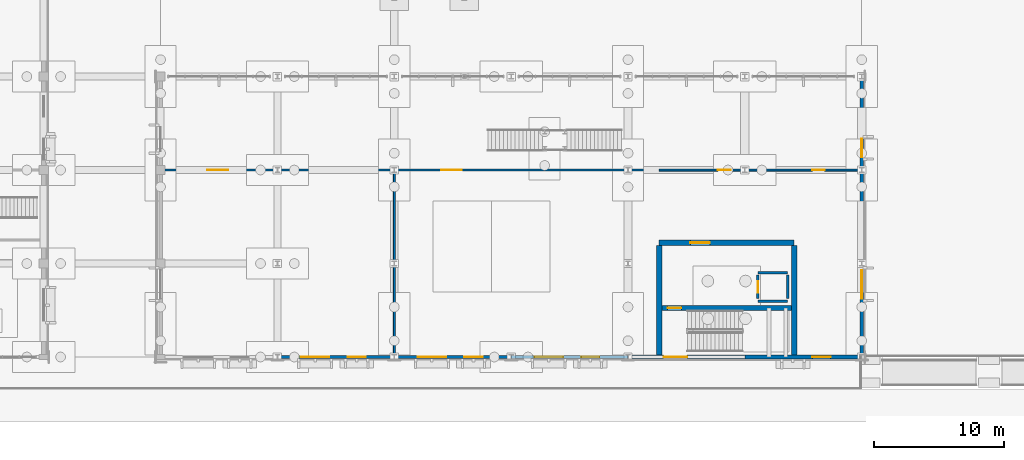
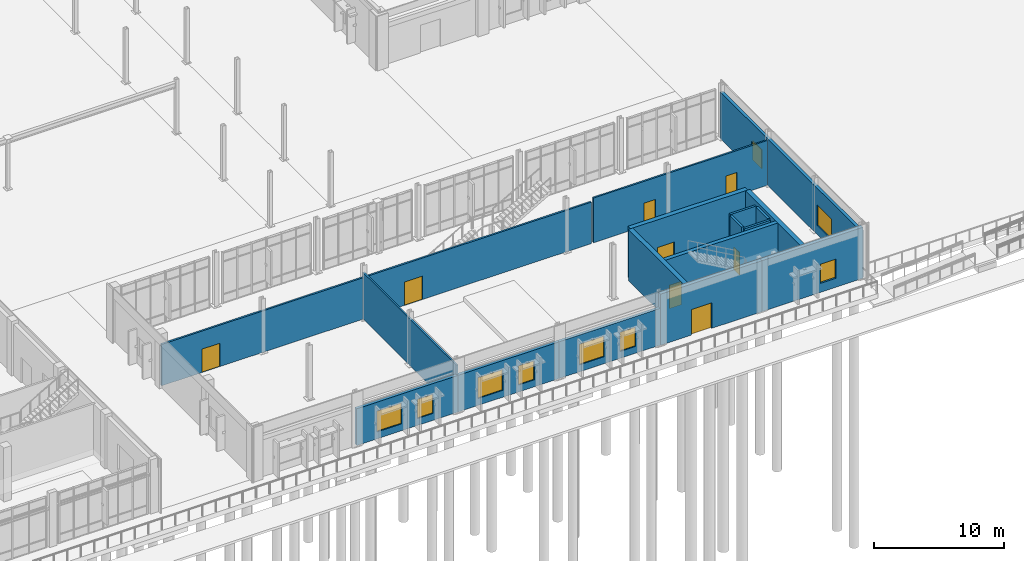
# One storey, part 63 of 94: 17 walls, 9 windows, 8 doors, 17 openings.
"""IFC4 building model written with IfcOpenShell, lengths in metres."""

from ifc_helpers import new_model, si_unit, direction, frame, frame_2d, origin, place, context, subcontext, project, spatial, rectangle, extrude, material, layer, layer_set, type_object, element, fill, save


model = new_model("IFC4")

# Units and contexts
model_context = context("Model", 3, precision=1e-05, world=origin(), true_north=direction((0.0, 1.0)))
body_context = subcontext(model_context, "Body", "Model", "MODEL_VIEW")
ifc_project = project(units=[si_unit("LENGTHUNIT", "METRE"), si_unit("AREAUNIT", "SQUARE_METRE"), si_unit("VOLUMEUNIT", "CUBIC_METRE"), si_unit("PLANEANGLEUNIT", "RADIAN"), si_unit("MASSUNIT", "GRAM", prefix="KILO")], contexts=[model_context])

# Site, building, storey
site_placement = place(None, origin())
site = spatial("IfcSite", under=ifc_project, at=site_placement, CompositionType="ELEMENT")
building_placement = place(site_placement, origin())
building = spatial("IfcBuilding", under=site, at=building_placement, Name="Vervanel Yard Central Library", CompositionType="ELEMENT")
storey_placement = place(building_placement, origin())
storey = spatial("IfcBuildingStorey", under=building, at=storey_placement, Name="L00", CompositionType="ELEMENT", Elevation=0.0)

# Wall, openings, doors
ifc_material_1 = material(Name="Fire-rated gypsum board on steel studs", Category="steel")
ifc_layer_1 = layer(ifc_material_1, 0.159912109375, Category="steel")
ifc_layer_set_1 = layer_set([ifc_layer_1], Name="Fire-rated gypsum board on steel studs")
wall_type_1 = type_object("IfcWallType", Name="Acoustic Glazed Partition 160", PredefinedType="PARTITIONING", material=ifc_layer_set_1)
wall_1_placement = place(storey_placement, frame((54.0, 14.39990234375, 0.0), z_axis=(0.0, 0.0, 1.0), x_axis=(1.0, 0.0, 0.0)))
wall_1 = element("IfcWall", 1, at=wall_1_placement, inside=storey, type_object=wall_type_1, Name="L00 Acoustic Glazed Partition 160 IPART-L00-0038", PredefinedType="PARTITIONING", context=body_context, shape_type="SweptSolid", body=[
    extrude(rectangle(XDim=38.199951171875, YDim=0.159912109375, at=frame_2d((19.10009765625, 0.0))), origin(), (0.0, 0.0, 1.0), 3.897705078125),
])
opening_1_placement = place(wall_1_placement, frame((3.60009765625, 0.0, 0.0)))
opening_1 = element("IfcOpeningElement", 2, at=opening_1_placement, cuts=wall_1, Name="Opening DR-04", PredefinedType="OPENING", context=body_context, shape_type="SweptSolid", body=[
    extrude(rectangle(XDim=1.60009765625, YDim=2.199951171875, at=frame_2d((0.800048828125, 1.10009765625))), frame((0.0, 0.08984375, 0.0), z_axis=(0.0, -1.0, 0.0), x_axis=(1.0, 0.0, 0.0)), (0.0, 0.0, 1.0), 0.179931640625),
])
opening_2_placement = place(wall_1_placement, frame((21.60009765625, 0.0, 0.0)))
opening_2 = element("IfcOpeningElement", 3, at=opening_2_placement, cuts=wall_1, Name="Opening DR-04", PredefinedType="OPENING", context=body_context, shape_type="SweptSolid", body=[
    extrude(rectangle(XDim=1.60009765625, YDim=2.199951171875, at=frame_2d((0.800048828125, 1.10009765625))), frame((0.0, 0.08984375, 0.0), z_axis=(0.0, -1.0, 0.0), x_axis=(1.0, 0.0, 0.0)), (0.0, 0.0, 1.0), 0.179931640625),
])
ifc_material_2 = material(Name="Solid white oak acoustic joinery", Category="wood")
door_type_1 = type_object("IfcDoorType", Name="Interior Double Reading Door 1600x2200", OperationType="NOTDEFINED", PredefinedType="DOOR", material=ifc_material_2)
door_1_placement = place(opening_1_placement, origin())
door_1 = element("IfcDoor", 4, at=door_1_placement, inside=storey, type_object=door_type_1, Name="L00 Interior Double Reading Door 1600x2200 IDOOR-L00-0028", OperationType="DOUBLE_DOOR_SINGLE_SWING", OverallHeight=2.199951171875, OverallWidth=1.60009765625, PredefinedType="DOOR", context=body_context, shape_type="SweptSolid", body=[
    extrude(rectangle(XDim=1.60009765625, YDim=2.199951171875, at=frame_2d((0.800048828125, 1.10009765625))), frame((0.0, 0.02490234375, 0.0), z_axis=(0.0, -1.0, 0.0), x_axis=(1.0, 0.0, 0.0)), (0.0, 0.0, 1.0), 0.050048828125),
])
fill(opening_1, door_1)
door_2_placement = place(opening_2_placement, origin())
door_2 = element("IfcDoor", 5, at=door_2_placement, inside=storey, type_object=door_type_1, Name="L00 Interior Double Reading Door 1600x2200 IDOOR-L00-0029", OperationType="DOUBLE_DOOR_SINGLE_SWING", OverallHeight=2.199951171875, OverallWidth=1.60009765625, PredefinedType="DOOR", context=body_context, shape_type="SweptSolid", body=[
    extrude(rectangle(XDim=1.60009765625, YDim=2.199951171875, at=frame_2d((0.800048828125, 1.10009765625))), frame((0.0, 0.02490234375, 0.0), z_axis=(0.0, -1.0, 0.0), x_axis=(1.0, 0.0, 0.0)), (0.0, 0.0, 1.0), 0.050048828125),
])
fill(opening_2, door_2)

# Wall, openings, windows
ifc_material_3 = material(Name="Concrete C40/50", Category="concrete")
ifc_layer_2 = layer(ifc_material_3, 0.260009765625, Category="concrete")
ifc_layer_set_2 = layer_set([ifc_layer_2], Name="Concrete C40/50")
wall_type_2 = type_object("IfcWallType", Name="Children's Pavilion Concrete Wall 260", PredefinedType="SOLIDWALL", material=ifc_layer_set_2)
wall_2_placement = place(storey_placement, frame((63.0, 0.0, 0.0), z_axis=(0.0, 0.0, 1.0), x_axis=(1.0, 0.0, 0.0)))
wall_2 = element("IfcWall", 6, at=wall_2_placement, inside=storey, type_object=wall_type_2, Name="L00 Children's Pavilion Concrete Wall 260 EWALL-L00-0193", PredefinedType="SOLIDWALL", context=body_context, shape_type="SweptSolid", body=[
    extrude(rectangle(XDim=9.0, YDim=0.260009765625, at=frame_2d((4.5, 0.0))), origin(), (0.0, 0.0, 1.0), 3.449951171875),
])
opening_3_placement = place(wall_2_placement, frame((1.800048828125, 0.0, 0.64990234375)))
opening_3 = element("IfcOpeningElement", 7, at=opening_3_placement, cuts=wall_2, Name="Opening WN-11", PredefinedType="OPENING", context=body_context, shape_type="SweptSolid", body=[
    extrude(rectangle(XDim=2.199951171875, YDim=1.949951171875, at=frame_2d((1.10009765625, 0.97509765625))), frame((0.0, 0.139892578125, 0.0), z_axis=(0.0, -1.0, 0.0), x_axis=(1.0, 0.0, 0.0)), (0.0, 0.0, 1.0), 0.280029296875),
])
opening_4_placement = place(wall_2_placement, frame((5.39990234375, 0.0, 0.64990234375)))
opening_4 = element("IfcOpeningElement", 8, at=opening_4_placement, cuts=wall_2, Name="Opening WN-12", PredefinedType="OPENING", context=body_context, shape_type="SweptSolid", body=[
    extrude(rectangle(XDim=1.39990234375, YDim=1.800048828125, at=frame_2d((0.699951171875, 0.89990234375))), frame((0.0, 0.139892578125, 0.0), z_axis=(0.0, -1.0, 0.0), x_axis=(1.0, 0.0, 0.0)), (0.0, 0.0, 1.0), 0.280029296875),
])
ifc_material_4 = material(Name="Double low-E laminated solar-control glass", Category="glass")
window_type_1 = type_object("IfcWindowType", Name="Children's Discovery Picture Window 2200x1950", PartitioningType="SINGLE_PANEL", PredefinedType="WINDOW", material=ifc_material_4)
window_1_placement = place(opening_3_placement, origin())
window_1 = element("IfcWindow", 9, at=window_1_placement, inside=storey, type_object=window_type_1, Name="L00 Children's Discovery Picture Window 2200x1950 246", OverallHeight=1.949951171875, OverallWidth=2.199951171875, PartitioningType="SINGLE_PANEL", PredefinedType="WINDOW", context=body_context, shape_type="SweptSolid", body=[
    extrude(rectangle(XDim=2.199951171875, YDim=1.949951171875, at=frame_2d((1.10009765625, 0.97509765625))), frame((0.0, 0.030029296875, 0.0), z_axis=(0.0, -1.0, 0.0), x_axis=(1.0, 0.0, 0.0)), (0.0, 0.0, 1.0), 0.06005859375),
])
fill(opening_3, window_1)
window_type_2 = type_object("IfcWindowType", Name="Children's Low Sill Window 1400x1800", PartitioningType="SINGLE_PANEL", PredefinedType="WINDOW", material=ifc_material_4)
window_2_placement = place(opening_4_placement, origin())
window_2 = element("IfcWindow", 10, at=window_2_placement, inside=storey, type_object=window_type_2, Name="L00 Children's Low Sill Window 1400x1800 247", OverallHeight=1.800048828125, OverallWidth=1.39990234375, PartitioningType="SINGLE_PANEL", PredefinedType="WINDOW", context=body_context, shape_type="SweptSolid", body=[
    extrude(rectangle(XDim=1.39990234375, YDim=1.800048828125, at=frame_2d((0.699951171875, 0.89990234375))), frame((0.0, 0.030029296875, 0.0), z_axis=(0.0, -1.0, 0.0), x_axis=(1.0, 0.0, 0.0)), (0.0, 0.0, 1.0), 0.06005859375),
])
fill(opening_4, window_2)

wall_3_placement = place(storey_placement, frame((72.0, 0.0, 0.0), z_axis=(0.0, 0.0, 1.0), x_axis=(1.0, 0.0, 0.0)))
wall_3 = element("IfcWall", 11, at=wall_3_placement, inside=storey, type_object=wall_type_2, Name="L00 Children's Pavilion Concrete Wall 260 EWALL-L00-0194", PredefinedType="SOLIDWALL", context=body_context, shape_type="SweptSolid", body=[
    extrude(rectangle(XDim=9.0, YDim=0.260009765625, at=frame_2d((4.5, 0.0))), origin(), (0.0, 0.0, 1.0), 3.449951171875),
])
opening_5_placement = place(wall_3_placement, frame((1.800048828125, 0.0, 0.64990234375)))
opening_5 = element("IfcOpeningElement", 12, at=opening_5_placement, cuts=wall_3, Name="Opening WN-11", PredefinedType="OPENING", context=body_context, shape_type="SweptSolid", body=[
    extrude(rectangle(XDim=2.199951171875, YDim=1.949951171875, at=frame_2d((1.10009765625, 0.97509765625))), frame((0.0, 0.139892578125, 0.0), z_axis=(0.0, -1.0, 0.0), x_axis=(1.0, 0.0, 0.0)), (0.0, 0.0, 1.0), 0.280029296875),
])
opening_6_placement = place(wall_3_placement, frame((5.39990234375, 0.0, 0.64990234375)))
opening_6 = element("IfcOpeningElement", 13, at=opening_6_placement, cuts=wall_3, Name="Opening WN-12", PredefinedType="OPENING", context=body_context, shape_type="SweptSolid", body=[
    extrude(rectangle(XDim=1.39990234375, YDim=1.800048828125, at=frame_2d((0.699951171875, 0.89990234375))), frame((0.0, 0.139892578125, 0.0), z_axis=(0.0, -1.0, 0.0), x_axis=(1.0, 0.0, 0.0)), (0.0, 0.0, 1.0), 0.280029296875),
])
window_3_placement = place(opening_5_placement, origin())
window_3 = element("IfcWindow", 14, at=window_3_placement, inside=storey, type_object=window_type_1, Name="L00 Children's Discovery Picture Window 2200x1950 248", OverallHeight=1.949951171875, OverallWidth=2.199951171875, PartitioningType="SINGLE_PANEL", PredefinedType="WINDOW", context=body_context, shape_type="SweptSolid", body=[
    extrude(rectangle(XDim=2.199951171875, YDim=1.949951171875, at=frame_2d((1.10009765625, 0.97509765625))), frame((0.0, 0.030029296875, 0.0), z_axis=(0.0, -1.0, 0.0), x_axis=(1.0, 0.0, 0.0)), (0.0, 0.0, 1.0), 0.06005859375),
])
fill(opening_5, window_3)
window_4_placement = place(opening_6_placement, origin())
window_4 = element("IfcWindow", 15, at=window_4_placement, inside=storey, type_object=window_type_2, Name="L00 Children's Low Sill Window 1400x1800 249", OverallHeight=1.800048828125, OverallWidth=1.39990234375, PartitioningType="SINGLE_PANEL", PredefinedType="WINDOW", context=body_context, shape_type="SweptSolid", body=[
    extrude(rectangle(XDim=1.39990234375, YDim=1.800048828125, at=frame_2d((0.699951171875, 0.89990234375))), frame((0.0, 0.030029296875, 0.0), z_axis=(0.0, -1.0, 0.0), x_axis=(1.0, 0.0, 0.0)), (0.0, 0.0, 1.0), 0.06005859375),
])
fill(opening_6, window_4)

wall_4_placement = place(storey_placement, frame((81.0, 0.0, 0.0), z_axis=(0.0, 0.0, 1.0), x_axis=(1.0, 0.0, 0.0)))
wall_4 = element("IfcWall", 16, at=wall_4_placement, inside=storey, type_object=wall_type_2, Name="L00 Children's Pavilion Concrete Wall 260 EWALL-L00-0195", PredefinedType="SOLIDWALL", context=body_context, shape_type="SweptSolid", body=[
    extrude(rectangle(XDim=9.0, YDim=0.260009765625, at=frame_2d((4.5, 0.0))), origin(), (0.0, 0.0, 1.0), 3.449951171875),
])
opening_7_placement = place(wall_4_placement, frame((1.800048828125, 0.0, 0.64990234375)))
opening_7 = element("IfcOpeningElement", 17, at=opening_7_placement, cuts=wall_4, Name="Opening WN-11", PredefinedType="OPENING", context=body_context, shape_type="SweptSolid", body=[
    extrude(rectangle(XDim=2.199951171875, YDim=1.949951171875, at=frame_2d((1.10009765625, 0.97509765625))), frame((0.0, 0.139892578125, 0.0), z_axis=(0.0, -1.0, 0.0), x_axis=(1.0, 0.0, 0.0)), (0.0, 0.0, 1.0), 0.280029296875),
])
opening_8_placement = place(wall_4_placement, frame((5.39990234375, 0.0, 0.64990234375)))
opening_8 = element("IfcOpeningElement", 18, at=opening_8_placement, cuts=wall_4, Name="Opening WN-12", PredefinedType="OPENING", context=body_context, shape_type="SweptSolid", body=[
    extrude(rectangle(XDim=1.39990234375, YDim=1.800048828125, at=frame_2d((0.699951171875, 0.89990234375))), frame((0.0, 0.139892578125, 0.0), z_axis=(0.0, -1.0, 0.0), x_axis=(1.0, 0.0, 0.0)), (0.0, 0.0, 1.0), 0.280029296875),
])
window_5_placement = place(opening_7_placement, origin())
window_5 = element("IfcWindow", 19, at=window_5_placement, inside=storey, type_object=window_type_1, Name="L00 Children's Discovery Picture Window 2200x1950 250", OverallHeight=1.949951171875, OverallWidth=2.199951171875, PartitioningType="SINGLE_PANEL", PredefinedType="WINDOW", context=body_context, shape_type="SweptSolid", body=[
    extrude(rectangle(XDim=2.199951171875, YDim=1.949951171875, at=frame_2d((1.10009765625, 0.97509765625))), frame((0.0, 0.030029296875, 0.0), z_axis=(0.0, -1.0, 0.0), x_axis=(1.0, 0.0, 0.0)), (0.0, 0.0, 1.0), 0.06005859375),
])
fill(opening_7, window_5)
window_6_placement = place(opening_8_placement, origin())
window_6 = element("IfcWindow", 20, at=window_6_placement, inside=storey, type_object=window_type_2, Name="L00 Children's Low Sill Window 1400x1800 251", OverallHeight=1.800048828125, OverallWidth=1.39990234375, PartitioningType="SINGLE_PANEL", PredefinedType="WINDOW", context=body_context, shape_type="SweptSolid", body=[
    extrude(rectangle(XDim=1.39990234375, YDim=1.800048828125, at=frame_2d((0.699951171875, 0.89990234375))), frame((0.0, 0.030029296875, 0.0), z_axis=(0.0, -1.0, 0.0), x_axis=(1.0, 0.0, 0.0)), (0.0, 0.0, 1.0), 0.06005859375),
])
fill(opening_8, window_6)

wall_5_placement = place(storey_placement, frame((108.0, 0.0, 0.0), z_axis=(0.0, 0.0, 1.0), x_axis=(0.0, 1.0, 0.0)))
wall_5 = element("IfcWall", 21, at=wall_5_placement, inside=storey, type_object=wall_type_2, Name="L00 Children's Pavilion Concrete Wall 260 EWALL-L00-0199", PredefinedType="SOLIDWALL", context=body_context, shape_type="SweptSolid", body=[
    extrude(rectangle(XDim=21.60009765625, YDim=0.260009765625, at=frame_2d((10.800048828125, 0.0))), origin(), (0.0, 0.0, 1.0), 4.362548828125),
])
opening_9_placement = place(wall_5_placement, frame((4.5, 0.0, 0.85009765625)))
opening_9 = element("IfcOpeningElement", 22, at=opening_9_placement, cuts=wall_5, Name="Opening WN-11", PredefinedType="OPENING", context=body_context, shape_type="SweptSolid", body=[
    extrude(rectangle(XDim=2.199951171875, YDim=1.949951171875, at=frame_2d((1.10009765625, 0.97509765625))), frame((0.0, 0.139892578125, 0.0), z_axis=(0.0, -1.0, 0.0), x_axis=(1.0, 0.0, 0.0)), (0.0, 0.0, 1.0), 0.280029296875),
])
opening_10_placement = place(wall_5_placement, frame((15.39990234375, 0.0, 0.85009765625)))
opening_10 = element("IfcOpeningElement", 23, at=opening_10_placement, cuts=wall_5, Name="Opening WN-12", PredefinedType="OPENING", context=body_context, shape_type="SweptSolid", body=[
    extrude(rectangle(XDim=1.39990234375, YDim=1.800048828125, at=frame_2d((0.699951171875, 0.89990234375))), frame((0.0, 0.139892578125, 0.0), z_axis=(0.0, -1.0, 0.0), x_axis=(1.0, 0.0, 0.0)), (0.0, 0.0, 1.0), 0.280029296875),
])
window_7_placement = place(opening_9_placement, origin())
window_7 = element("IfcWindow", 24, at=window_7_placement, inside=storey, type_object=window_type_1, Name="L00 Children's Discovery Picture Window 2200x1950 255", OverallHeight=1.949951171875, OverallWidth=2.199951171875, PartitioningType="SINGLE_PANEL", PredefinedType="WINDOW", context=body_context, shape_type="SweptSolid", body=[
    extrude(rectangle(XDim=2.199951171875, YDim=1.949951171875, at=frame_2d((1.10009765625, 0.97509765625))), frame((0.0, 0.030029296875, 0.0), z_axis=(0.0, -1.0, 0.0), x_axis=(1.0, 0.0, 0.0)), (0.0, 0.0, 1.0), 0.06005859375),
])
fill(opening_9, window_7)
window_8_placement = place(opening_10_placement, origin())
window_8 = element("IfcWindow", 25, at=window_8_placement, inside=storey, type_object=window_type_2, Name="L00 Children's Low Sill Window 1400x1800 256", OverallHeight=1.800048828125, OverallWidth=1.39990234375, PartitioningType="SINGLE_PANEL", PredefinedType="WINDOW", context=body_context, shape_type="SweptSolid", body=[
    extrude(rectangle(XDim=1.39990234375, YDim=1.800048828125, at=frame_2d((0.699951171875, 0.89990234375))), frame((0.0, 0.030029296875, 0.0), z_axis=(0.0, -1.0, 0.0), x_axis=(1.0, 0.0, 0.0)), (0.0, 0.0, 1.0), 0.06005859375),
])
fill(opening_10, window_8)

# Wall, opening, door
ifc_material_5 = material(Name="Concrete C45/55", Category="concrete")
ifc_layer_3 = layer(ifc_material_5, 0.39990234375, Category="concrete")
ifc_layer_set_3 = layer_set([ifc_layer_3], Name="Concrete C45/55")
wall_type_3 = type_object("IfcWallType", Name="Core Primary Shear Wall 400", PredefinedType="SHEAR", material=ifc_layer_set_3)
wall_6_placement = place(storey_placement, frame((92.39990234375, 8.800048828125, 0.0), z_axis=(0.0, 0.0, 1.0), x_axis=(1.0, 0.0, 0.0)))
wall_6 = element("IfcWall", 26, at=wall_6_placement, inside=storey, type_object=wall_type_3, Name="L00 CORE-F Shear Wall N", PredefinedType="SHEAR", context=body_context, shape_type="SweptSolid", body=[
    extrude(rectangle(XDim=10.400146484375, YDim=0.39990234375, at=frame_2d((5.2001953125, 0.0))), origin(), (0.0, 0.0, 1.0), 4.800048828125),
])
opening_11_placement = place(wall_6_placement, frame((2.39990234375, 0.0, 0.0)))
opening_11 = element("IfcOpeningElement", 27, at=opening_11_placement, cuts=wall_6, Name="Opening DR-F02", PredefinedType="OPENING", context=body_context, shape_type="SweptSolid", body=[
    extrude(rectangle(XDim=1.5, YDim=2.199951171875, at=frame_2d((0.75, 1.10009765625))), frame((0.0, 0.2099609375, 0.0), z_axis=(0.0, -1.0, 0.0), x_axis=(1.0, 0.0, 0.0)), (0.0, 0.0, 1.0), 0.419921875),
])
ifc_material_6 = material(Name="Galvanized painted steelwork ASTM A500 Grade C", Category="steel")
door_type_2 = type_object("IfcDoorType", Name="Fire-Rated Lobby Door 1500x2200", OperationType="NOTDEFINED", PredefinedType="DOOR", material=ifc_material_6)
door_3_placement = place(opening_11_placement, origin())
door_3 = element("IfcDoor", 28, at=door_3_placement, inside=storey, type_object=door_type_2, Name="L00 CORE-F Lobby Fire Door", OperationType="DOUBLE_DOOR_SINGLE_SWING", OverallHeight=2.199951171875, OverallWidth=1.5, PredefinedType="DOOR", context=body_context, shape_type="SweptSolid", body=[
    extrude(rectangle(XDim=1.5, YDim=2.199951171875, at=frame_2d((0.75, 1.10009765625))), frame((0.0, 0.02490234375, 0.0), z_axis=(0.0, -1.0, 0.0), x_axis=(1.0, 0.0, 0.0)), (0.0, 0.0, 1.0), 0.050048828125),
])
fill(opening_11, door_3)

# Walls
for number, where, z_axis, x_axis, name in (
    (29, (92.39990234375, 0.169921875, 0.0), (0.0, 0.0, 1.0), (0.0, 1.0, 0.0), "L00 CORE-F Shear Wall W"),
    (30, (102.800048828125, 0.169921875, 0.0), (0.0, 0.0, 1.0), (0.0, 1.0, 0.0), "L00 CORE-F Shear Wall E"),
):
    element("IfcWall", number, at=place(storey_placement, frame(where, z_axis=z_axis, x_axis=x_axis)), inside=storey, type_object=wall_type_3, Name=name, PredefinedType="SHEAR", context=body_context, shape_type="SweptSolid", body=[
        extrude(rectangle(XDim=8.43017578125, YDim=0.39990234375, at=frame_2d((4.215087890625, 0.0))), origin(), (0.0, 0.0, 1.0), 4.800048828125),
    ])

# Wall, opening, door
ifc_layer_4 = layer(ifc_material_5, 0.35009765625, Category="concrete")
ifc_layer_set_4 = layer_set([ifc_layer_4], Name="Concrete C45/55")
wall_type_4 = type_object("IfcWallType", Name="Core Secondary Shear Wall 350", PredefinedType="SHEAR", material=ifc_layer_set_4)
wall_7_placement = place(storey_placement, frame((92.60009765625, 3.77490234375, 0.0), z_axis=(0.0, 0.0, 1.0), x_axis=(1.0, 0.0, 0.0)))
wall_7 = element("IfcWall", 31, at=wall_7_placement, inside=storey, type_object=wall_type_4, Name="L00 CORE-F Stair Shaft Wall", PredefinedType="SHEAR", context=body_context, shape_type="SweptSolid", body=[
    extrude(rectangle(XDim=10.0, YDim=0.35009765625, at=frame_2d((5.0, 0.0))), origin(), (0.0, 0.0, 1.0), 4.800048828125),
])
opening_12_placement = place(wall_7_placement, frame((0.449951171875, 0.0, 0.0)))
opening_12 = element("IfcOpeningElement", 32, at=opening_12_placement, cuts=wall_7, Name="Opening DR-F01", PredefinedType="OPENING", context=body_context, shape_type="SweptSolid", body=[
    extrude(rectangle(XDim=1.050048828125, YDim=2.199951171875, at=frame_2d((0.52490234375, 1.10009765625))), frame((0.0, 0.18505859375, 0.0), z_axis=(0.0, -1.0, 0.0), x_axis=(1.0, 0.0, 0.0)), (0.0, 0.0, 1.0), 0.3701171875),
])
door_type_3 = type_object("IfcDoorType", Name="Fire-Rated Stair Exit Door 1050x2200", OperationType="NOTDEFINED", PredefinedType="DOOR", material=ifc_material_6)
door_4_placement = place(opening_12_placement, origin())
door_4 = element("IfcDoor", 33, at=door_4_placement, inside=storey, type_object=door_type_3, Name="L00 CORE-F Stair Door", OperationType="SINGLE_SWING_LEFT", OverallHeight=2.199951171875, OverallWidth=1.050048828125, PredefinedType="DOOR", context=body_context, shape_type="SweptSolid", body=[
    extrude(rectangle(XDim=1.050048828125, YDim=2.199951171875, at=frame_2d((0.52490234375, 1.10009765625))), frame((0.0, 0.02490234375, 0.0), z_axis=(0.0, -1.0, 0.0), x_axis=(1.0, 0.0, 0.0)), (0.0, 0.0, 1.0), 0.050048828125),
])
fill(opening_12, door_4)

ifc_layer_5 = layer(ifc_material_5, 0.340087890625, Category="concrete")
ifc_layer_set_5 = layer_set([ifc_layer_5], Name="Concrete C45/55")
wall_type_5 = type_object("IfcWallType", Name="Exterior Bearing Concrete Frame Wall 340", PredefinedType="SOLIDWALL", material=ifc_layer_set_5)
wall_8_placement = place(storey_placement, frame((90.0, 0.0, 0.0), z_axis=(0.0, 0.0, 1.0), x_axis=(1.0, 0.0, 0.0)))
wall_8 = element("IfcWall", 34, at=wall_8_placement, inside=storey, type_object=wall_type_5, Name="L00 Exterior Bearing Concrete Frame Wall 340 EWALL-L00-0196", PredefinedType="SOLIDWALL", context=body_context, shape_type="SweptSolid", body=[
    extrude(rectangle(XDim=9.0, YDim=0.340087890625, at=frame_2d((4.5, 0.0))), origin(), (0.0, 0.0, 1.0), 4.800048828125),
])
opening_13_placement = place(wall_8_placement, frame((2.75, 0.0, 0.0)))
opening_13 = element("IfcOpeningElement", 35, at=opening_13_placement, cuts=wall_8, Name="Opening DR-E02", PredefinedType="OPENING", context=body_context, shape_type="SweptSolid", body=[
    extrude(rectangle(XDim=1.800048828125, YDim=2.39990234375, at=frame_2d((0.89990234375, 1.199951171875))), frame((0.0, 0.179931640625, 0.0), z_axis=(0.0, -1.0, 0.0), x_axis=(1.0, 0.0, 0.0)), (0.0, 0.0, 1.0), 0.360107421875),
])
ifc_material_7 = material(Name="Galvanized hollow steel door assembly", Category="steel")
door_type_4 = type_object("IfcDoorType", Name="Double Pedestrian Exit Door 1800x2400", OperationType="NOTDEFINED", PredefinedType="DOOR", material=ifc_material_7)
door_5_placement = place(opening_13_placement, frame((1.800048828125, 0.0, 0.0), z_axis=(0.0, 0.0, 1.0), x_axis=(-1.0, 0.0, 0.0)))
door_5 = element("IfcDoor", 36, at=door_5_placement, inside=storey, type_object=door_type_4, Name="L00 Double Pedestrian Exit Door 1800x2400 20", OperationType="DOUBLE_DOOR_SINGLE_SWING", OverallHeight=2.39990234375, OverallWidth=1.800048828125, PredefinedType="DOOR", context=body_context, shape_type="SweptSolid", body=[
    extrude(rectangle(XDim=1.800048828125, YDim=2.39990234375, at=frame_2d((0.89990234375, 1.199951171875))), frame((0.0, 0.02490234375, 0.0), z_axis=(0.0, -1.0, 0.0), x_axis=(1.0, 0.0, 0.0)), (0.0, 0.0, 1.0), 0.050048828125),
])
fill(opening_13, door_5)

# Wall, opening, window
wall_9_placement = place(storey_placement, frame((99.0, 0.0, 0.0), z_axis=(0.0, 0.0, 1.0), x_axis=(1.0, 0.0, 0.0)))
wall_9 = element("IfcWall", 37, at=wall_9_placement, inside=storey, type_object=wall_type_5, Name="L00 Exterior Bearing Concrete Frame Wall 340 EWALL-L00-0197", PredefinedType="SOLIDWALL", context=body_context, shape_type="SweptSolid", body=[
    extrude(rectangle(XDim=9.0, YDim=0.340087890625, at=frame_2d((4.5, 0.0))), origin(), (0.0, 0.0, 1.0), 4.800048828125),
])
opening_14_placement = place(wall_9_placement, frame((5.199951171875, 0.0, 0.85009765625)))
opening_14 = element("IfcOpeningElement", 38, at=opening_14_placement, cuts=wall_9, Name="Opening WN-12", PredefinedType="OPENING", context=body_context, shape_type="SweptSolid", body=[
    extrude(rectangle(XDim=1.39990234375, YDim=1.800048828125, at=frame_2d((0.699951171875, 0.89990234375))), frame((0.0, 0.179931640625, 0.0), z_axis=(0.0, -1.0, 0.0), x_axis=(1.0, 0.0, 0.0)), (0.0, 0.0, 1.0), 0.360107421875),
])
window_9_placement = place(opening_14_placement, origin())
window_9 = element("IfcWindow", 39, at=window_9_placement, inside=storey, type_object=window_type_2, Name="L00 Children's Low Sill Window 1400x1800 252", OverallHeight=1.800048828125, OverallWidth=1.39990234375, PartitioningType="SINGLE_PANEL", PredefinedType="WINDOW", context=body_context, shape_type="SweptSolid", body=[
    extrude(rectangle(XDim=1.39990234375, YDim=1.800048828125, at=frame_2d((0.699951171875, 0.89990234375))), frame((0.0, 0.030029296875, 0.0), z_axis=(0.0, -1.0, 0.0), x_axis=(1.0, 0.0, 0.0)), (0.0, 0.0, 1.0), 0.06005859375),
])
fill(opening_14, window_9)

# Wall
ifc_layer_6 = layer(ifc_material_1, 0.14990234375, Category="steel")
ifc_layer_set_6 = layer_set([ifc_layer_6], Name="Fire-rated gypsum board on steel studs")
wall_type_6 = type_object("IfcWallType", Name="Interior Partition 150", PredefinedType="PARTITIONING", material=ifc_layer_set_6)
wall_10_placement = place(storey_placement, frame((72.0, 0.0, 0.0), z_axis=(0.0, 0.0, 1.0), x_axis=(0.0, 1.0, 0.0)))
element("IfcWall", 40, at=wall_10_placement, inside=storey, type_object=wall_type_6, Name="L00 Interior Partition 150 IPART-L00-0039", PredefinedType="PARTITIONING", context=body_context, shape_type="SweptSolid", body=[
    extrude(rectangle(XDim=14.39990234375, YDim=0.14990234375, at=frame_2d((7.199951171875, 0.0))), origin(), (0.0, 0.0, 1.0), 4.362548828125),
])

# Wall, openings, doors
wall_11_placement = place(storey_placement, frame((92.39990234375, 14.39990234375, 0.0), z_axis=(0.0, 0.0, 1.0), x_axis=(1.0, 0.0, 0.0)))
wall_11 = element("IfcWall", 41, at=wall_11_placement, inside=storey, type_object=wall_type_6, Name="L00 Interior Partition 150 IPART-L00-0040", PredefinedType="PARTITIONING", context=body_context, shape_type="SweptSolid", body=[
    extrude(rectangle(XDim=15.60009765625, YDim=0.14990234375, at=frame_2d((7.800048828125, 0.0))), origin(), (0.0, 0.0, 1.0), 4.207763671875),
])
opening_15_placement = place(wall_11_placement, frame((4.5, 0.0, 0.0)))
opening_15 = element("IfcOpeningElement", 42, at=opening_15_placement, cuts=wall_11, Name="Opening DR-01", PredefinedType="OPENING", context=body_context, shape_type="SweptSolid", body=[
    extrude(rectangle(XDim=1.0, YDim=2.14990234375, at=frame_2d((0.5, 1.074951171875))), frame((0.0, 0.0849609375, 0.0), z_axis=(0.0, -1.0, 0.0), x_axis=(1.0, 0.0, 0.0)), (0.0, 0.0, 1.0), 0.169921875),
])
opening_16_placement = place(wall_11_placement, frame((11.800048828125, 0.0, 0.0)))
opening_16 = element("IfcOpeningElement", 43, at=opening_16_placement, cuts=wall_11, Name="Opening DR-02", PredefinedType="OPENING", context=body_context, shape_type="SweptSolid", body=[
    extrude(rectangle(XDim=0.949951171875, YDim=2.14990234375, at=frame_2d((0.47509765625, 1.074951171875))), frame((0.0, 0.0849609375, 0.0), z_axis=(0.0, -1.0, 0.0), x_axis=(1.0, 0.0, 0.0)), (0.0, 0.0, 1.0), 0.169921875),
])
door_type_5 = type_object("IfcDoorType", Name="Interior Accessible Restroom Door 950x2150", OperationType="NOTDEFINED", PredefinedType="DOOR", material=ifc_material_2)
door_6_placement = place(opening_16_placement, origin())
door_6 = element("IfcDoor", 44, at=door_6_placement, inside=storey, type_object=door_type_5, Name="L00 Interior Accessible Restroom Door 950x2150 IDOOR-L00-0031", OperationType="SINGLE_SWING_LEFT", OverallHeight=2.14990234375, OverallWidth=0.949951171875, PredefinedType="DOOR", context=body_context, shape_type="SweptSolid", body=[
    extrude(rectangle(XDim=0.949951171875, YDim=2.14990234375, at=frame_2d((0.47509765625, 1.074951171875))), frame((0.0, 0.02490234375, 0.0), z_axis=(0.0, -1.0, 0.0), x_axis=(1.0, 0.0, 0.0)), (0.0, 0.0, 1.0), 0.050048828125),
])
fill(opening_16, door_6)
door_type_6 = type_object("IfcDoorType", Name="Interior Single Door 1000x2150", OperationType="NOTDEFINED", PredefinedType="DOOR", material=ifc_material_2)
door_7_placement = place(opening_15_placement, origin())
door_7 = element("IfcDoor", 45, at=door_7_placement, inside=storey, type_object=door_type_6, Name="L00 Interior Single Door 1000x2150 IDOOR-L00-0030", OperationType="SINGLE_SWING_RIGHT", OverallHeight=2.14990234375, OverallWidth=1.0, PredefinedType="DOOR", context=body_context, shape_type="SweptSolid", body=[
    extrude(rectangle(XDim=1.0, YDim=2.14990234375, at=frame_2d((0.5, 1.074951171875))), frame((0.0, 0.02490234375, 0.0), z_axis=(0.0, -1.0, 0.0), x_axis=(1.0, 0.0, 0.0)), (0.0, 0.0, 1.0), 0.050048828125),
])
fill(opening_15, door_7)

# Walls
ifc_layer_7 = layer(ifc_material_3, 0.199951171875, Category="concrete")
ifc_layer_set_7 = layer_set([ifc_layer_7], Name="Concrete C40/50")
wall_type_7 = type_object("IfcWallType", Name="Shaft & Plant Rated Wall 200", PredefinedType="PARTITIONING", material=ifc_layer_set_7)
for number, where, z_axis, x_axis, name in (
    (46, (100.0, 4.300048828125, 0.0), (0.0, 0.0, 1.0), (1.0, 0.0, 0.0), "L00 CORE-F-L00-RIS Shaft Wall S"),
    (47, (100.0, 6.5, 0.0), (0.0, 0.0, 1.0), (1.0, 0.0, 0.0), "L00 CORE-F-L00-RIS Shaft Wall N"),
):
    element("IfcWall", number, at=place(storey_placement, frame(where, z_axis=z_axis, x_axis=x_axis)), inside=storey, type_object=wall_type_7, Name=name, PredefinedType="PARTITIONING", context=body_context, shape_type="SweptSolid", body=[
        extrude(rectangle(XDim=2.300048828125, YDim=0.199951171875, at=frame_2d((1.14990234375, 0.0))), origin(), (0.0, 0.0, 1.0), 4.800048828125),
    ])

# Wall, opening, door
wall_12_placement = place(storey_placement, frame((100.0, 4.5, 0.0), z_axis=(0.0, 0.0, 1.0), x_axis=(0.0, 1.0, 0.0)))
wall_12 = element("IfcWall", 48, at=wall_12_placement, inside=storey, type_object=wall_type_7, Name="L00 CORE-F-L00-RIS Shaft Wall W", PredefinedType="PARTITIONING", context=body_context, shape_type="SweptSolid", body=[
    extrude(rectangle(XDim=1.800048828125, YDim=0.199951171875, at=frame_2d((0.89990234375, 0.0))), origin(), (0.0, 0.0, 1.0), 4.800048828125),
])
opening_17_placement = place(wall_12_placement, frame((0.449951171875, 0.0, 0.0)))
opening_17 = element("IfcOpeningElement", 49, at=opening_17_placement, cuts=wall_12, Name="Opening DR-03", PredefinedType="OPENING", context=body_context, shape_type="SweptSolid", body=[
    extrude(rectangle(XDim=0.89990234375, YDim=2.10009765625, at=frame_2d((0.449951171875, 1.050048828125))), frame((0.0, 0.10986328125, 0.0), z_axis=(0.0, -1.0, 0.0), x_axis=(1.0, 0.0, 0.0)), (0.0, 0.0, 1.0), 0.219970703125),
])
door_type_7 = type_object("IfcDoorType", Name="Interior Riser Access Door 900x2100", OperationType="NOTDEFINED", PredefinedType="DOOR", material=ifc_material_6)
door_8_placement = place(opening_17_placement, origin())
door_8 = element("IfcDoor", 50, at=door_8_placement, inside=storey, type_object=door_type_7, Name="L00 CORE-F Riser Access Door", OperationType="SINGLE_SWING_LEFT", OverallHeight=2.10009765625, OverallWidth=0.89990234375, PredefinedType="DOOR", context=body_context, shape_type="SweptSolid", body=[
    extrude(rectangle(XDim=0.89990234375, YDim=2.10009765625, at=frame_2d((0.449951171875, 1.050048828125))), frame((0.0, 0.02490234375, 0.0), z_axis=(0.0, -1.0, 0.0), x_axis=(1.0, 0.0, 0.0)), (0.0, 0.0, 1.0), 0.050048828125),
])
fill(opening_17, door_8)

# Wall
wall_13_placement = place(storey_placement, frame((102.300048828125, 4.5, 0.0), z_axis=(0.0, 0.0, 1.0), x_axis=(0.0, 1.0, 0.0)))
element("IfcWall", 51, at=wall_13_placement, inside=storey, type_object=wall_type_7, Name="L00 CORE-F-L00-RIS Shaft Wall E", PredefinedType="PARTITIONING", context=body_context, shape_type="SweptSolid", body=[
    extrude(rectangle(XDim=1.800048828125, YDim=0.199951171875, at=frame_2d((0.89990234375, 0.0))), origin(), (0.0, 0.0, 1.0), 4.800048828125),
])

save(model, "model.ifc")
